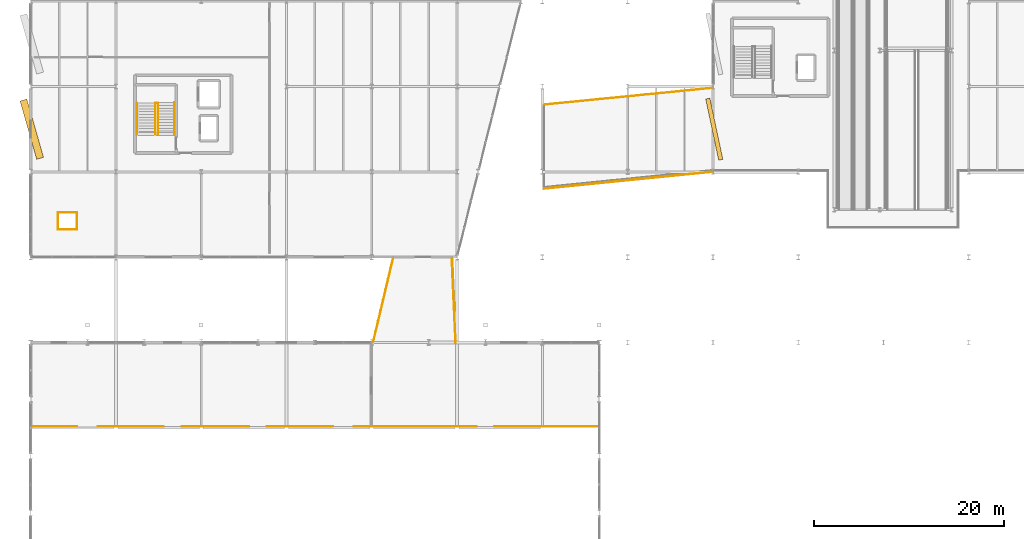
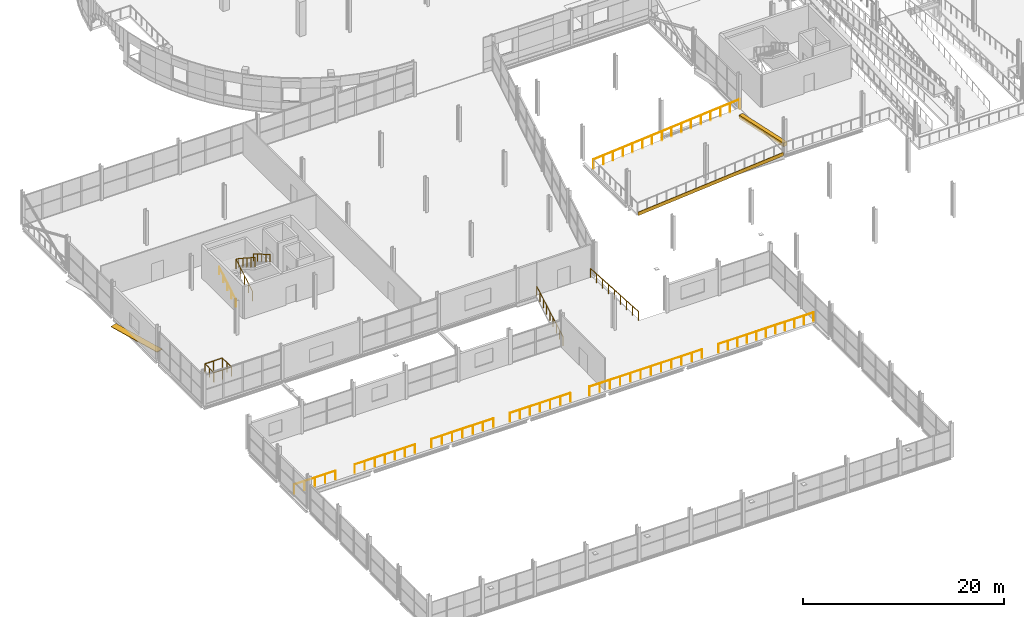
# One storey, part 120 of 135: 14 railings, 2 shading devices, 1 covering.
"""IFC4 building model written with IfcOpenShell, lengths in metres."""

import ifcopenshell
import ifcopenshell.guid

model = None  # the IFC model being written
_history = None  # IfcOwnerHistory: only IFC2X3 demands one
_inside = {}  # id of a spatial element -> (the spatial element, [elements in it])
_under = {}  # id of a project, library or spatial element -> (it, [spatial elements below it])
_declared = {}  # id of a project -> (the project, [libraries it declares])
_typed = {}  # id of a type object -> (the type object, [elements of that type])
_made_of = {}  # id of a material, layer set ... -> (it, [elements and type objects made of it])


def new_model(schema):
    """Start an empty IFC model of exactly this schema.

    Asked for "IFC4X3", IfcOpenShell would pick the latest addendum, in which some entities
    have other attributes; the version numbers below select the first issue.
    IFC2X3 requires an IfcOwnerHistory on every rooted entity: one is made here for all.
    """
    global model, _history
    if schema == "IFC4X3":
        model = ifcopenshell.file(schema_version=(4, 3, 0, 0))
    else:
        model = ifcopenshell.file(schema=schema)
    _inside.clear()
    _under.clear()
    _declared.clear()
    _typed.clear()
    _made_of.clear()
    _history = None
    if model.schema == "IFC2X3":
        org = make("IfcOrganization", Name="unknown")
        user = make(
            "IfcPersonAndOrganization",
            ThePerson=make("IfcPerson", FamilyName="unknown"),
            TheOrganization=org,
        )
        app = make(
            "IfcApplication",
            ApplicationDeveloper=org,
            Version="unknown",
            ApplicationFullName="unknown",
            ApplicationIdentifier="unknown",
        )
        _history = make(
            "IfcOwnerHistory",
            OwningUser=user,
            OwningApplication=app,
            ChangeAction="ADDED",
            CreationDate=0,
        )
    return model


def make(cls, **values):
    """One entity of the class cls with the attributes given. An attribute that is None is left unset."""
    return model.create_entity(
        cls, **{name: value for name, value in values.items() if value is not None}
    )


def rooted(cls, **values):
    """An entity with a GlobalId (a new one), such as an element, a storey or a relation."""
    return make(cls, GlobalId=ifcopenshell.guid.new(), OwnerHistory=_history, **values)


def si_unit(unit_type, name, prefix=None):
    """IfcSIUnit, for example si_unit("LENGTHUNIT", "METRE", prefix="MILLI")."""
    return make("IfcSIUnit", UnitType=unit_type, Prefix=prefix, Name=name)


def assignment(units):
    """IfcUnitAssignment: the units of a project."""
    return None if units is None else make("IfcUnitAssignment", Units=units)


def point(xyz):
    """IfcCartesianPoint."""
    return None if xyz is None else make("IfcCartesianPoint", Coordinates=xyz)


def direction(xyz):
    """IfcDirection."""
    return None if xyz is None else make("IfcDirection", DirectionRatios=xyz)


def frame(location, z_axis=None, x_axis=None):
    """IfcAxis2Placement3D, a coordinate frame: its origin and axes. An axis left out is left unset."""
    return make(
        "IfcAxis2Placement3D",
        Location=point(location),
        Axis=direction(z_axis),
        RefDirection=direction(x_axis),
    )


def frame_2d(location, x_axis=None):
    """IfcAxis2Placement2D, a coordinate frame in the plane: its origin and x axis."""
    return make(
        "IfcAxis2Placement2D", Location=point(location), RefDirection=direction(x_axis)
    )


def origin():
    """The frame at (0, 0, 0) with its axes left unset."""
    return frame((0.0, 0.0, 0.0))


def origin_2d():
    """The frame at (0, 0) in the plane with its x axis left unset."""
    return frame_2d((0.0, 0.0))


def place(relative_to, where):
    """IfcLocalPlacement: puts the frame where relative to a parent placement (None: the world)."""
    return make(
        "IfcLocalPlacement", PlacementRelTo=relative_to, RelativePlacement=where
    )


def context(
    kind, dimensions, precision=None, world=None, true_north=None, identifier=None
):
    """IfcGeometricRepresentationContext, for example the 3D "Model" context."""
    return make(
        "IfcGeometricRepresentationContext",
        ContextIdentifier=identifier,
        ContextType=kind,
        CoordinateSpaceDimension=dimensions,
        Precision=precision,
        WorldCoordinateSystem=world,
        TrueNorth=true_north,
    )


def subcontext(parent, identifier, kind, view, scale=None):
    """IfcGeometricRepresentationSubContext, for example "Body" below "Model"."""
    return make(
        "IfcGeometricRepresentationSubContext",
        ContextIdentifier=identifier,
        ContextType=kind,
        ParentContext=parent,
        TargetScale=scale,
        TargetView=view,
    )


def project(units=None, contexts=None):
    """IfcProject with its units and contexts."""
    return rooted(
        "IfcProject",
        Name="project",
        RepresentationContexts=contexts,
        UnitsInContext=assignment(units),
    )


def spatial(cls, under=None, at=None, **own):
    """A site, building, storey or space (cls), placed at a placement, below another one or the project."""
    s = rooted(cls, ObjectPlacement=at, **own)
    if under is not None:
        _under.setdefault(under.id(), (under, []))[1].append(s)
    return s


def profile(cls, at=None, kind="AREA", **sizes):
    """A parametric profile (cls). Its sizes go by their IFC names, for example OverallWidth=200.0."""
    return make(cls, ProfileType=kind, Position=at, **sizes)


def rectangle(**sizes):
    """IfcRectangleProfileDef."""
    return profile("IfcRectangleProfileDef", **sizes)


def circle(**sizes):
    """IfcCircleProfileDef."""
    return profile("IfcCircleProfileDef", **sizes)


def extrude(swept, where, along, depth):
    """IfcExtrudedAreaSolid: the profile swept, set in the frame where, extruded along a direction by depth."""
    return make(
        "IfcExtrudedAreaSolid",
        SweptArea=swept,
        Position=where,
        ExtrudedDirection=direction(along),
        Depth=depth,
    )


def shape(context_of_items, identifier, shape_type, items):
    """IfcShapeRepresentation: the items that make up one representation, for example the "Body"."""
    return make(
        "IfcShapeRepresentation",
        ContextOfItems=context_of_items,
        RepresentationIdentifier=identifier,
        RepresentationType=shape_type,
        Items=items,
    )


def material(Name=None, Category=None):
    """IfcMaterial."""
    return make("IfcMaterial", Name=Name, Category=Category)


def layer(
    of_material, thickness, ventilated=None, Name=None, Category=None, Priority=None
):
    """IfcMaterialLayer: one layer of a wall or slab, of a material (None: an air gap)."""
    return make(
        "IfcMaterialLayer",
        Material=of_material,
        LayerThickness=thickness,
        IsVentilated=ventilated,
        Name=Name,
        Category=Category,
        Priority=Priority,
    )


def layer_set(layers, Name=None):
    """IfcMaterialLayerSet."""
    return make("IfcMaterialLayerSet", MaterialLayers=layers, LayerSetName=Name)


def made_of(thing, what):
    """Note that an element or type object is made of a material, layer set ...; save() writes the relation."""
    if what is not None:
        _made_of.setdefault(what.id(), (what, []))[1].append(thing)
    return thing


def type_object(cls, material=None, **own):
    """A type object (cls), such as IfcWallType, which elements share."""
    return made_of(rooted(cls, **own), material)


def element(
    cls,
    number,
    at=None,
    inside=None,
    cuts=None,
    type_object=None,
    material=None,
    context=None,
    identifier="Body",
    shape_type=None,
    held_by="IfcProductDefinitionShape",
    body=None,
    shapes=None,
    **own,
):
    """One element of the class cls, such as IfcWall. Its Tag is "e" and its number.

    at: its placement. inside: the storey or other place that contains it. cuts: it is an
    opening in that element (IfcRelVoidsElement). A single representation is given by context,
    identifier, shape_type and body (its items); several are given by shapes. held_by: the class
    of the entity that holds the representations. save() writes the other relations.
    """
    e = rooted(cls, Tag="e%d" % number, ObjectPlacement=at, **own)
    if body is not None:
        shapes = [shape(context, identifier, shape_type, body)]
    if shapes is not None:
        e.Representation = make(held_by, Representations=shapes)
    if inside is not None:
        _inside.setdefault(inside.id(), (inside, []))[1].append(e)
    if cuts is not None:
        rooted(
            "IfcRelVoidsElement", RelatingBuildingElement=cuts, RelatedOpeningElement=e
        )
    if type_object is not None:
        _typed.setdefault(type_object.id(), (type_object, []))[1].append(e)
    return made_of(e, material)


def aggregate(whole, parts):
    """IfcRelAggregates: a whole, such as a stair, and the parts it consists of."""
    return rooted("IfcRelAggregates", RelatingObject=whole, RelatedObjects=parts)


def save(model, path):
    """Write the relations noted so far, then the file.

    IfcRelAggregates (storeys below a building ...), IfcRelContainedInSpatialStructure (elements
    in a storey), IfcRelDefinesByType, IfcRelAssociatesMaterial and IfcRelDeclares: one each for
    every whole, place, type object, material and project.
    """
    for whole, parts in _under.values():
        aggregate(whole, parts)
    for where, things in _inside.values():
        rooted(
            "IfcRelContainedInSpatialStructure",
            RelatedElements=things,
            RelatingStructure=where,
        )
    for kind, things in _typed.values():
        rooted("IfcRelDefinesByType", RelatedObjects=things, RelatingType=kind)
    for what, things in _made_of.values():
        rooted("IfcRelAssociatesMaterial", RelatedObjects=things, RelatingMaterial=what)
    for by, libraries in _declared.values():
        rooted("IfcRelDeclares", RelatingContext=by, RelatedDefinitions=libraries)
    model.write(path)


model = new_model("IFC4")

# Units and contexts
model_context = context("Model", 3, precision=1e-05, world=origin(), true_north=direction((0.0, 1.0)))
body_context = subcontext(model_context, "Body", "Model", "MODEL_VIEW")
ifc_project = project(units=[si_unit("LENGTHUNIT", "METRE"), si_unit("AREAUNIT", "SQUARE_METRE"), si_unit("VOLUMEUNIT", "CUBIC_METRE"), si_unit("PLANEANGLEUNIT", "RADIAN"), si_unit("MASSUNIT", "GRAM", prefix="KILO")], contexts=[model_context])

# Site, building, storey
site_placement = place(None, origin())
site = spatial("IfcSite", under=ifc_project, at=site_placement, CompositionType="ELEMENT")
building_placement = place(site_placement, origin())
building = spatial("IfcBuilding", under=site, at=building_placement, Name="Deido Ridge Mobility Hub", CompositionType="ELEMENT")
storey_placement = place(building_placement, frame((0.0, 0.0, 4.199951171875)))
storey = spatial("IfcBuildingStorey", under=building, at=storey_placement, Name="L01", CompositionType="ELEMENT", Elevation=4.199951171875)

# Covering
ifc_material_1 = material(Name="Powder-coated aluminium cladding EN AW-3003", Category="aluminium")
ifc_layer_1 = layer(ifc_material_1, 0.06494140625, Name="Powder-coated aluminium cladding EN AW-3003")
ifc_layer_set_1 = layer_set([ifc_layer_1], Name="Powder-coated aluminium cladding EN AW-3003")
covering_type = type_object("IfcCoveringType", Name="COV-ALU-CLAD-65", PredefinedType="CLADDING", material=ifc_layer_set_1)
covering_placement = place(storey_placement, frame((63.0, 53.10009765625, -0.329833984375), z_axis=(0.0, 0.0, 1.0), x_axis=(0.995038220239, 0.099493418189, 0.0)))
element("IfcCovering", 1, at=covering_placement, inside=storey, type_object=covering_type, Name="Skewed skybridge west fascia shard AC1", PredefinedType="CLADDING", context=body_context, shape_type="SweptSolid", body=[
    extrude(rectangle(XDim=17.800048828125, YDim=0.06494140625, at=origin_2d()), origin(), (0.0, 0.0, 1.0), 0.419921875),
])

# Railings
ifc_material_2 = material(Name="Stainless steel 316", Category="steel")
railing_type_1 = type_object("IfcRailingType", Name="RL-BAL-GLZ-1120", PredefinedType="BALUSTRADE", material=ifc_material_2)
railing_1_placement = place(storey_placement, frame((0.14990234375, 27.14990234375, 0.0)))
element("IfcRailing", 2, at=railing_1_placement, inside=storey, type_object=railing_type_1, Name="Bus hall mezzanine balustrade BL1", PredefinedType="BALUSTRADE", context=body_context, shape_type="SweptSolid", body=[
    extrude(circle(Radius=0.02392578125, at=origin_2d()), frame((0.0, 0.0, 1.09619140625), z_axis=(1.0, 0.0, 0.0), x_axis=(0.0, 1.0, 0.0)), (0.0, 0.0, 1.0), 4.75),
    extrude(circle(Radius=0.02099609375, at=origin_2d()), origin(), (0.0, 0.0, 1.0), 1.072021484375),
    extrude(circle(Radius=0.02099609375, at=origin_2d()), frame((1.1875, 0.0, 0.0)), (0.0, 0.0, 1.0), 1.072021484375),
    extrude(circle(Radius=0.02099609375, at=origin_2d()), frame((2.375, 0.0, 0.0)), (0.0, 0.0, 1.0), 1.072021484375),
    extrude(circle(Radius=0.02099609375, at=origin_2d()), frame((3.5625, 0.0, 0.0)), (0.0, 0.0, 1.0), 1.072021484375),
    extrude(circle(Radius=0.02099609375, at=origin_2d()), frame((4.75, 0.0, 0.0)), (0.0, 0.0, 1.0), 1.072021484375),
])
railing_2_placement = place(storey_placement, frame((7.10009765625, 27.14990234375, 0.0)))
element("IfcRailing", 3, at=railing_2_placement, inside=storey, type_object=railing_type_1, Name="Bus hall mezzanine balustrade BL1", PredefinedType="BALUSTRADE", context=body_context, shape_type="SweptSolid", body=[
    extrude(circle(Radius=0.02392578125, at=origin_2d()), frame((0.0, 0.0, 1.09619140625), z_axis=(1.0, 0.0, 0.0), x_axis=(0.0, 1.0, 0.0)), (0.0, 0.0, 1.0), 6.949951171875),
    extrude(circle(Radius=0.02099609375, at=origin_2d()), origin(), (0.0, 0.0, 1.0), 1.072021484375),
    extrude(circle(Radius=0.02099609375, at=origin_2d()), frame((1.158203125, 0.0, 0.0)), (0.0, 0.0, 1.0), 1.072021484375),
    extrude(circle(Radius=0.02099609375, at=origin_2d()), frame((2.316650390625, 0.0, 0.0)), (0.0, 0.0, 1.0), 1.072021484375),
    extrude(circle(Radius=0.02099609375, at=origin_2d()), frame((3.47509765625, 0.0, 0.0)), (0.0, 0.0, 1.0), 1.072021484375),
    extrude(circle(Radius=0.02099609375, at=origin_2d()), frame((4.63330078125, 0.0, 0.0)), (0.0, 0.0, 1.0), 1.072021484375),
    extrude(circle(Radius=0.02099609375, at=origin_2d()), frame((5.79150390625, 0.0, 0.0)), (0.0, 0.0, 1.0), 1.072021484375),
    extrude(circle(Radius=0.02099609375, at=origin_2d()), frame((6.949951171875, 0.0, 0.0)), (0.0, 0.0, 1.0), 1.072021484375),
])
railing_3_placement = place(storey_placement, frame((15.949951171875, 27.14990234375, 0.0)))
element("IfcRailing", 4, at=railing_3_placement, inside=storey, type_object=railing_type_1, Name="Bus hall mezzanine balustrade BL1", PredefinedType="BALUSTRADE", context=body_context, shape_type="SweptSolid", body=[
    extrude(circle(Radius=0.02392578125, at=origin_2d()), frame((0.0, 0.0, 1.09619140625), z_axis=(1.0, 0.0, 0.0), x_axis=(0.0, 1.0, 0.0)), (0.0, 0.0, 1.0), 7.10009765625),
    extrude(circle(Radius=0.02099609375, at=origin_2d()), origin(), (0.0, 0.0, 1.0), 1.072021484375),
    extrude(circle(Radius=0.02099609375, at=origin_2d()), frame((1.183349609375, 0.0, 0.0)), (0.0, 0.0, 1.0), 1.072021484375),
    extrude(circle(Radius=0.02099609375, at=origin_2d()), frame((2.36669921875, 0.0, 0.0)), (0.0, 0.0, 1.0), 1.072021484375),
    extrude(circle(Radius=0.02099609375, at=origin_2d()), frame((3.550048828125, 0.0, 0.0)), (0.0, 0.0, 1.0), 1.072021484375),
    extrude(circle(Radius=0.02099609375, at=origin_2d()), frame((4.7333984375, 0.0, 0.0)), (0.0, 0.0, 1.0), 1.072021484375),
    extrude(circle(Radius=0.02099609375, at=origin_2d()), frame((5.916748046875, 0.0, 0.0)), (0.0, 0.0, 1.0), 1.072021484375),
    extrude(circle(Radius=0.02099609375, at=origin_2d()), frame((7.10009765625, 0.0, 0.0)), (0.0, 0.0, 1.0), 1.072021484375),
])
railing_4_placement = place(storey_placement, frame((24.949951171875, 27.14990234375, 0.0)))
element("IfcRailing", 5, at=railing_4_placement, inside=storey, type_object=railing_type_1, Name="Bus hall mezzanine balustrade BL1", PredefinedType="BALUSTRADE", context=body_context, shape_type="SweptSolid", body=[
    extrude(circle(Radius=0.02392578125, at=origin_2d()), frame((0.0, 0.0, 1.09619140625), z_axis=(1.0, 0.0, 0.0), x_axis=(0.0, 1.0, 0.0)), (0.0, 0.0, 1.0), 6.949951171875),
    extrude(circle(Radius=0.02099609375, at=origin_2d()), origin(), (0.0, 0.0, 1.0), 1.072021484375),
    extrude(circle(Radius=0.02099609375, at=origin_2d()), frame((1.158203125, 0.0, 0.0)), (0.0, 0.0, 1.0), 1.072021484375),
    extrude(circle(Radius=0.02099609375, at=origin_2d()), frame((2.316650390625, 0.0, 0.0)), (0.0, 0.0, 1.0), 1.072021484375),
    extrude(circle(Radius=0.02099609375, at=origin_2d()), frame((3.47509765625, 0.0, 0.0)), (0.0, 0.0, 1.0), 1.072021484375),
    extrude(circle(Radius=0.02099609375, at=origin_2d()), frame((4.63330078125, 0.0, 0.0)), (0.0, 0.0, 1.0), 1.072021484375),
    extrude(circle(Radius=0.02099609375, at=origin_2d()), frame((5.79150390625, 0.0, 0.0)), (0.0, 0.0, 1.0), 1.072021484375),
    extrude(circle(Radius=0.02099609375, at=origin_2d()), frame((6.949951171875, 0.0, 0.0)), (0.0, 0.0, 1.0), 1.072021484375),
])
railing_5_placement = place(storey_placement, frame((34.10009765625, 27.14990234375, 0.0)))
element("IfcRailing", 6, at=railing_5_placement, inside=storey, type_object=railing_type_1, Name="Bus hall mezzanine balustrade BL1", PredefinedType="BALUSTRADE", context=body_context, shape_type="SweptSolid", body=[
    extrude(circle(Radius=0.02392578125, at=origin_2d()), frame((0.0, 0.0, 1.09619140625), z_axis=(1.0, 0.0, 0.0), x_axis=(0.0, 1.0, 0.0)), (0.0, 0.0, 1.0), 12.949951171875),
    extrude(circle(Radius=0.02099609375, at=origin_2d()), origin(), (0.0, 0.0, 1.0), 1.072021484375),
    extrude(circle(Radius=0.02099609375, at=origin_2d()), frame((1.17724609375, 0.0, 0.0)), (0.0, 0.0, 1.0), 1.072021484375),
    extrude(circle(Radius=0.02099609375, at=origin_2d()), frame((2.3544921875, 0.0, 0.0)), (0.0, 0.0, 1.0), 1.072021484375),
    extrude(circle(Radius=0.02099609375, at=origin_2d()), frame((3.53173828125, 0.0, 0.0)), (0.0, 0.0, 1.0), 1.072021484375),
    extrude(circle(Radius=0.02099609375, at=origin_2d()), frame((4.708984375, 0.0, 0.0)), (0.0, 0.0, 1.0), 1.072021484375),
    extrude(circle(Radius=0.02099609375, at=origin_2d()), frame((5.88623046875, 0.0, 0.0)), (0.0, 0.0, 1.0), 1.072021484375),
    extrude(circle(Radius=0.02099609375, at=origin_2d()), frame((7.063720703125, 0.0, 0.0)), (0.0, 0.0, 1.0), 1.072021484375),
    extrude(circle(Radius=0.02099609375, at=origin_2d()), frame((8.240966796875, 0.0, 0.0)), (0.0, 0.0, 1.0), 1.072021484375),
    extrude(circle(Radius=0.02099609375, at=origin_2d()), frame((9.418212890625, 0.0, 0.0)), (0.0, 0.0, 1.0), 1.072021484375),
    extrude(circle(Radius=0.02099609375, at=origin_2d()), frame((10.595458984375, 0.0, 0.0)), (0.0, 0.0, 1.0), 1.072021484375),
    extrude(circle(Radius=0.02099609375, at=origin_2d()), frame((11.772705078125, 0.0, 0.0)), (0.0, 0.0, 1.0), 1.072021484375),
    extrude(circle(Radius=0.02099609375, at=origin_2d()), frame((12.949951171875, 0.0, 0.0)), (0.0, 0.0, 1.0), 1.072021484375),
])
railing_6_placement = place(storey_placement, frame((48.949951171875, 27.14990234375, 0.0)))
element("IfcRailing", 7, at=railing_6_placement, inside=storey, type_object=railing_type_1, Name="Bus hall mezzanine balustrade BL1", PredefinedType="BALUSTRADE", context=body_context, shape_type="SweptSolid", body=[
    extrude(circle(Radius=0.02392578125, at=origin_2d()), frame((0.0, 0.0, 1.09619140625), z_axis=(1.0, 0.0, 0.0), x_axis=(0.0, 1.0, 0.0)), (0.0, 0.0, 1.0), 10.900146484375),
    extrude(circle(Radius=0.02099609375, at=origin_2d()), origin(), (0.0, 0.0, 1.0), 1.072021484375),
    extrude(circle(Radius=0.02099609375, at=origin_2d()), frame((1.090087890625, 0.0, 0.0)), (0.0, 0.0, 1.0), 1.072021484375),
    extrude(circle(Radius=0.02099609375, at=origin_2d()), frame((2.179931640625, 0.0, 0.0)), (0.0, 0.0, 1.0), 1.072021484375),
    extrude(circle(Radius=0.02099609375, at=origin_2d()), frame((3.27001953125, 0.0, 0.0)), (0.0, 0.0, 1.0), 1.072021484375),
    extrude(circle(Radius=0.02099609375, at=origin_2d()), frame((4.360107421875, 0.0, 0.0)), (0.0, 0.0, 1.0), 1.072021484375),
    extrude(circle(Radius=0.02099609375, at=origin_2d()), frame((5.4501953125, 0.0, 0.0)), (0.0, 0.0, 1.0), 1.072021484375),
    extrude(circle(Radius=0.02099609375, at=origin_2d()), frame((6.5400390625, 0.0, 0.0)), (0.0, 0.0, 1.0), 1.072021484375),
    extrude(circle(Radius=0.02099609375, at=origin_2d()), frame((7.630126953125, 0.0, 0.0)), (0.0, 0.0, 1.0), 1.072021484375),
    extrude(circle(Radius=0.02099609375, at=origin_2d()), frame((8.72021484375, 0.0, 0.0)), (0.0, 0.0, 1.0), 1.072021484375),
    extrude(circle(Radius=0.02099609375, at=origin_2d()), frame((9.81005859375, 0.0, 0.0)), (0.0, 0.0, 1.0), 1.072021484375),
    extrude(circle(Radius=0.02099609375, at=origin_2d()), frame((10.900146484375, 0.0, 0.0)), (0.0, 0.0, 1.0), 1.072021484375),
])
railing_7_placement = place(storey_placement, frame((36.14990234375, 36.0, 0.0)))
element("IfcRailing", 8, at=railing_7_placement, inside=storey, type_object=railing_type_1, Name="Commuter cafe bridge west balustrade BL1", PredefinedType="BALUSTRADE", context=body_context, shape_type="SweptSolid", body=[
    extrude(circle(Radius=0.02392578125, at=origin_2d()), frame((0.0, 0.0, 1.09619140625), z_axis=(0.230885044701, 0.972981035855, 0.0), x_axis=(-0.972981035855, 0.230885044701, 0.0)), (0.0, 0.0, 1.0), 9.095947265625),
    extrude(circle(Radius=0.02099609375, at=origin_2d()), origin(), (0.0, 0.0, 1.0), 1.072021484375),
    extrude(circle(Radius=0.02099609375, at=origin_2d()), frame((0.262451171875, 1.106201171875, 0.0)), (0.0, 0.0, 1.0), 1.072021484375),
    extrude(circle(Radius=0.02099609375, at=origin_2d()), frame((0.52490234375, 2.21240234375, 0.0)), (0.0, 0.0, 1.0), 1.072021484375),
    extrude(circle(Radius=0.02099609375, at=origin_2d()), frame((0.78759765625, 3.31884765625, 0.0)), (0.0, 0.0, 1.0), 1.072021484375),
    extrude(circle(Radius=0.02099609375, at=origin_2d()), frame((1.050048828125, 4.425048828125, 0.0)), (0.0, 0.0, 1.0), 1.072021484375),
    extrude(circle(Radius=0.02099609375, at=origin_2d()), frame((1.3125, 5.53125, 0.0)), (0.0, 0.0, 1.0), 1.072021484375),
    extrude(circle(Radius=0.02099609375, at=origin_2d()), frame((1.5751953125, 6.6376953125, 0.0)), (0.0, 0.0, 1.0), 1.072021484375),
    extrude(circle(Radius=0.02099609375, at=origin_2d()), frame((1.837646484375, 7.743896484375, 0.0)), (0.0, 0.0, 1.0), 1.072021484375),
    extrude(circle(Radius=0.02099609375, at=origin_2d()), frame((2.10009765625, 8.85009765625, 0.0)), (0.0, 0.0, 1.0), 1.072021484375),
])
railing_8_placement = place(storey_placement, frame((44.449951171875, 44.85009765625, 0.0)))
element("IfcRailing", 9, at=railing_8_placement, inside=storey, type_object=railing_type_1, Name="Commuter cafe bridge east balustrade BL1", PredefinedType="BALUSTRADE", context=body_context, shape_type="SweptSolid", body=[
    extrude(circle(Radius=0.02392578125, at=origin_2d()), frame((0.0, 0.0, 1.09619140625), z_axis=(0.045167648854, -0.998979420958, 0.0), x_axis=(0.998979420958, 0.045167648854, 0.0)), (0.0, 0.0, 1.0), 8.859130859375),
    extrude(circle(Radius=0.02099609375, at=origin_2d()), origin(), (0.0, 0.0, 1.0), 1.072021484375),
    extrude(circle(Radius=0.02099609375, at=origin_2d()), frame((0.050048828125, -1.106201171875, 0.0)), (0.0, 0.0, 1.0), 1.072021484375),
    extrude(circle(Radius=0.02099609375, at=origin_2d()), frame((0.10009765625, -2.21240234375, 0.0)), (0.0, 0.0, 1.0), 1.072021484375),
    extrude(circle(Radius=0.02099609375, at=origin_2d()), frame((0.150146484375, -3.31884765625, 0.0)), (0.0, 0.0, 1.0), 1.072021484375),
    extrude(circle(Radius=0.02099609375, at=origin_2d()), frame((0.2001953125, -4.425048828125, 0.0)), (0.0, 0.0, 1.0), 1.072021484375),
    extrude(circle(Radius=0.02099609375, at=origin_2d()), frame((0.25, -5.53125, 0.0)), (0.0, 0.0, 1.0), 1.072021484375),
    extrude(circle(Radius=0.02099609375, at=origin_2d()), frame((0.300048828125, -6.6376953125, 0.0)), (0.0, 0.0, 1.0), 1.072021484375),
    extrude(circle(Radius=0.02099609375, at=origin_2d()), frame((0.35009765625, -7.743896484375, 0.0)), (0.0, 0.0, 1.0), 1.072021484375),
    extrude(circle(Radius=0.02099609375, at=origin_2d()), frame((0.400146484375, -8.85009765625, 0.0)), (0.0, 0.0, 1.0), 1.072021484375),
])
ifc_material_3 = material(Name="Galvanised steel work", Category="steel")
railing_type_2 = type_object("IfcRailingType", Name="RL-GRD-EXT-1150", PredefinedType="GUARDRAIL", material=ifc_material_3)
railing_9_placement = place(storey_placement, frame((54.14990234375, 61.080078125, 0.0)))
element("IfcRailing", 10, at=railing_9_placement, inside=storey, type_object=railing_type_2, Name="Skybridge skewed west-north edge guard GR1", PredefinedType="GUARDRAIL", context=body_context, shape_type="SweptSolid", body=[
    extrude(circle(Radius=0.02392578125, at=origin_2d()), frame((0.0, 0.0, 1.1259765625), z_axis=(0.995119587381, 0.098676272786, 0.0), x_axis=(-0.098676272786, 0.995119587381, 0.0)), (0.0, 0.0, 1.0), 17.937744140625),
    extrude(circle(Radius=0.02099609375, at=origin_2d()), origin(), (0.0, 0.0, 1.0), 1.101806640625),
    extrude(circle(Radius=0.02099609375, at=origin_2d()), frame((1.18994140625, 0.117919921875, 0.0)), (0.0, 0.0, 1.0), 1.101806640625),
    extrude(circle(Radius=0.02099609375, at=origin_2d()), frame((2.380126953125, 0.236083984375, 0.0)), (0.0, 0.0, 1.0), 1.101806640625),
    extrude(circle(Radius=0.02099609375, at=origin_2d()), frame((3.570068359375, 0.35400390625, 0.0)), (0.0, 0.0, 1.0), 1.101806640625),
    extrude(circle(Radius=0.02099609375, at=origin_2d()), frame((4.760009765625, 0.471923828125, 0.0)), (0.0, 0.0, 1.0), 1.101806640625),
    extrude(circle(Radius=0.02099609375, at=origin_2d()), frame((5.949951171875, 0.590087890625, 0.0)), (0.0, 0.0, 1.0), 1.101806640625),
    extrude(circle(Radius=0.02099609375, at=origin_2d()), frame((7.14013671875, 0.7080078125, 0.0)), (0.0, 0.0, 1.0), 1.101806640625),
    extrude(circle(Radius=0.02099609375, at=origin_2d()), frame((8.330078125, 0.825927734375, 0.0)), (0.0, 0.0, 1.0), 1.101806640625),
    extrude(circle(Radius=0.02099609375, at=origin_2d()), frame((9.52001953125, 0.944091796875, 0.0)), (0.0, 0.0, 1.0), 1.101806640625),
    extrude(circle(Radius=0.02099609375, at=origin_2d()), frame((10.7099609375, 1.06201171875, 0.0)), (0.0, 0.0, 1.0), 1.101806640625),
    extrude(circle(Radius=0.02099609375, at=origin_2d()), frame((11.900146484375, 1.179931640625, 0.0)), (0.0, 0.0, 1.0), 1.101806640625),
    extrude(circle(Radius=0.02099609375, at=origin_2d()), frame((13.090087890625, 1.298095703125, 0.0)), (0.0, 0.0, 1.0), 1.101806640625),
    extrude(circle(Radius=0.02099609375, at=origin_2d()), frame((14.280029296875, 1.416015625, 0.0)), (0.0, 0.0, 1.0), 1.101806640625),
    extrude(circle(Radius=0.02099609375, at=origin_2d()), frame((15.469970703125, 1.533935546875, 0.0)), (0.0, 0.0, 1.0), 1.101806640625),
    extrude(circle(Radius=0.02099609375, at=origin_2d()), frame((16.66015625, 1.652099609375, 0.0)), (0.0, 0.0, 1.0), 1.101806640625),
    extrude(circle(Radius=0.02099609375, at=origin_2d()), frame((17.85009765625, 1.77001953125, 0.0)), (0.0, 0.0, 1.0), 1.101806640625),
])
railing_10_placement = place(storey_placement, frame((2.89990234375, 47.89990234375, 0.0)))
element("IfcRailing", 11, at=railing_10_placement, inside=storey, type_object=railing_type_2, Name="Service riser shaft guard (L01) A", PredefinedType="GUARDRAIL", context=body_context, shape_type="SweptSolid", body=[
    extrude(circle(Radius=0.02392578125, at=origin_2d()), frame((0.0, 0.0, 1.1259765625), z_axis=(1.0, 0.0, 0.0), x_axis=(0.0, 1.0, 0.0)), (0.0, 0.0, 1.0), 2.0),
    extrude(circle(Radius=0.02392578125, at=origin_2d()), frame((2.0, 0.0, 1.1259765625), z_axis=(0.0, 1.0, 0.0), x_axis=(-1.0, 0.0, 0.0)), (0.0, 0.0, 1.0), 1.739990234375),
    extrude(circle(Radius=0.02099609375, at=origin_2d()), origin(), (0.0, 0.0, 1.0), 1.101806640625),
    extrude(circle(Radius=0.02099609375, at=origin_2d()), frame((1.0, 0.0, 0.0)), (0.0, 0.0, 1.0), 1.101806640625),
    extrude(circle(Radius=0.02099609375, at=origin_2d()), frame((2.0, 0.0, 0.0)), (0.0, 0.0, 1.0), 1.101806640625),
    extrude(circle(Radius=0.02099609375, at=origin_2d()), frame((2.0, 0.8701171875, 0.0)), (0.0, 0.0, 1.0), 1.101806640625),
    extrude(circle(Radius=0.02099609375, at=origin_2d()), frame((2.0, 1.739990234375, 0.0)), (0.0, 0.0, 1.0), 1.101806640625),
])
railing_11_placement = place(storey_placement, frame((4.89990234375, 49.699951171875, 0.0)))
element("IfcRailing", 12, at=railing_11_placement, inside=storey, type_object=railing_type_2, Name="Service riser shaft guard (L01) B", PredefinedType="GUARDRAIL", context=body_context, shape_type="SweptSolid", body=[
    extrude(circle(Radius=0.02392578125, at=origin_2d()), frame((0.0, 0.0, 1.1259765625), z_axis=(-1.0, 0.0, 0.0), x_axis=(0.0, -1.0, 0.0)), (0.0, 0.0, 1.0), 2.0),
    extrude(circle(Radius=0.02392578125, at=origin_2d()), frame((-2.0, 0.0, 1.1259765625), z_axis=(0.0, -1.0, 0.0), x_axis=(1.0, 0.0, 0.0)), (0.0, 0.0, 1.0), 1.739990234375),
    extrude(circle(Radius=0.02099609375, at=origin_2d()), origin(), (0.0, 0.0, 1.0), 1.101806640625),
    extrude(circle(Radius=0.02099609375, at=origin_2d()), frame((-1.0, 0.0, 0.0)), (0.0, 0.0, 1.0), 1.101806640625),
    extrude(circle(Radius=0.02099609375, at=origin_2d()), frame((-2.0, 0.0, 0.0)), (0.0, 0.0, 1.0), 1.101806640625),
    extrude(circle(Radius=0.02099609375, at=origin_2d()), frame((-2.0, -0.8701171875, 0.0)), (0.0, 0.0, 1.0), 1.101806640625),
    extrude(circle(Radius=0.02099609375, at=origin_2d()), frame((-2.0, -1.739990234375, 0.0)), (0.0, 0.0, 1.0), 1.101806640625),
])
railing_type_3 = type_object("IfcRailingType", Name="RL-STAIR-GRD-1150", PredefinedType="GUARDRAIL", material=ifc_material_3)
railing_12_placement = place(storey_placement, frame((13.14990234375, 57.949951171875, 0.175048828125)))
element("IfcRailing", 13, at=railing_12_placement, inside=storey, type_object=railing_type_3, Name="ST6 inner well guard (L01)", PredefinedType="GUARDRAIL", context=body_context, shape_type="SweptSolid", body=[
    extrude(circle(Radius=0.02392578125, at=origin_2d()), frame((0.0, 0.0, 1.1259765625), z_axis=(0.0, 0.863776583165, 0.503874998761), x_axis=(-1.0, 0.0, 0.0)), (0.0, 0.0, 1.0), 3.820556640625),
    extrude(circle(Radius=0.02392578125, at=origin_2d()), frame((0.0, 3.300048828125, 3.05078125), z_axis=(1.0, 0.0, 0.0), x_axis=(0.0, 1.0, 0.0)), (0.0, 0.0, 1.0), 0.300048828125),
    extrude(circle(Radius=0.02392578125, at=origin_2d()), frame((0.300048828125, 3.300048828125, 3.05078125), z_axis=(0.0, -0.839933924917, 0.542688678501), x_axis=(1.0, 0.0, 0.0)), (0.0, 0.0, 1.0), 3.869384765625),
    extrude(circle(Radius=0.02099609375, at=origin_2d()), origin(), (0.0, 0.0, 1.0), 1.101806640625),
    extrude(circle(Radius=0.02099609375, at=origin_2d()), frame((0.0, 0.824951171875, 0.481201171875)), (0.0, 0.0, 1.0), 1.101806640625),
    extrude(circle(Radius=0.02099609375, at=origin_2d()), frame((0.0, 1.64990234375, 0.96240234375)), (0.0, 0.0, 1.0), 1.101806640625),
    extrude(circle(Radius=0.02099609375, at=origin_2d()), frame((0.0, 2.47509765625, 1.44384765625)), (0.0, 0.0, 1.0), 1.101806640625),
    extrude(circle(Radius=0.02099609375, at=origin_2d()), frame((0.0, 3.300048828125, 1.925048828125)), (0.0, 0.0, 1.0), 1.101806640625),
    extrude(circle(Radius=0.02099609375, at=origin_2d()), frame((0.300048828125, 3.300048828125, 1.925048828125)), (0.0, 0.0, 1.0), 1.101806640625),
    extrude(circle(Radius=0.02099609375, at=origin_2d()), frame((0.300048828125, 2.487548828125, 2.449951171875)), (0.0, 0.0, 1.0), 1.101806640625),
    extrude(circle(Radius=0.02099609375, at=origin_2d()), frame((0.300048828125, 1.675048828125, 2.97509765625)), (0.0, 0.0, 1.0), 1.101806640625),
    extrude(circle(Radius=0.02099609375, at=origin_2d()), frame((0.300048828125, 0.862548828125, 3.5)), (0.0, 0.0, 1.0), 1.101806640625),
    extrude(circle(Radius=0.02099609375, at=origin_2d()), frame((0.300048828125, 0.050048828125, 4.02490234375)), (0.0, 0.0, 1.0), 1.101806640625),
])
railing_type_4 = type_object("IfcRailingType", Name="RL-STAIR-HND-900", PredefinedType="HANDRAIL", material=ifc_material_2)
railing_13_placement = place(storey_placement, frame((11.2099609375, 57.949951171875, 0.175048828125)))
element("IfcRailing", 14, at=railing_13_placement, inside=storey, type_object=railing_type_4, Name="ST6 flight 1 handrail (L01)", PredefinedType="HANDRAIL", context=body_context, shape_type="SweptSolid", body=[
    extrude(circle(Radius=0.02392578125, at=origin_2d()), frame((0.0, 0.0, 0.8759765625), z_axis=(0.0, 0.863776583165, 0.503874998761), x_axis=(-1.0, 0.0, 0.0)), (0.0, 0.0, 1.0), 3.820556640625),
    extrude(circle(Radius=0.02099609375, at=origin_2d()), origin(), (0.0, 0.0, 1.0), 0.851806640625),
    extrude(circle(Radius=0.02099609375, at=origin_2d()), frame((0.0, 0.824951171875, 0.481201171875)), (0.0, 0.0, 1.0), 0.851806640625),
    extrude(circle(Radius=0.02099609375, at=origin_2d()), frame((0.0, 1.64990234375, 0.96240234375)), (0.0, 0.0, 1.0), 0.851806640625),
    extrude(circle(Radius=0.02099609375, at=origin_2d()), frame((0.0, 2.47509765625, 1.44384765625)), (0.0, 0.0, 1.0), 0.851806640625),
    extrude(circle(Radius=0.02099609375, at=origin_2d()), frame((0.0, 3.300048828125, 1.925048828125)), (0.0, 0.0, 1.0), 0.851806640625),
])
railing_14_placement = place(storey_placement, frame((15.175048828125, 61.300048828125, 2.275146484375)))
element("IfcRailing", 15, at=railing_14_placement, inside=storey, type_object=railing_type_4, Name="ST6 flight 2 handrail (L01)", PredefinedType="HANDRAIL", context=body_context, shape_type="SweptSolid", body=[
    extrude(circle(Radius=0.02392578125, at=origin_2d()), frame((0.0, 0.0, 0.8759765625), z_axis=(0.0, -0.863804395585, 0.503827317807), x_axis=(1.0, 0.0, 0.0)), (0.0, 0.0, 1.0), 3.8203125),
    extrude(circle(Radius=0.02099609375, at=origin_2d()), origin(), (0.0, 0.0, 1.0), 0.851806640625),
    extrude(circle(Radius=0.02099609375, at=origin_2d()), frame((0.0, -0.824951171875, 0.481201171875)), (0.0, 0.0, 1.0), 0.851806640625),
    extrude(circle(Radius=0.02099609375, at=origin_2d()), frame((0.0, -1.64990234375, 0.96240234375)), (0.0, 0.0, 1.0), 0.851806640625),
    extrude(circle(Radius=0.02099609375, at=origin_2d()), frame((0.0, -2.47509765625, 1.443603515625)), (0.0, 0.0, 1.0), 0.851806640625),
    extrude(circle(Radius=0.02099609375, at=origin_2d()), frame((0.0, -3.300048828125, 1.9248046875)), (0.0, 0.0, 1.0), 0.851806640625),
])

# Shading devices
ifc_material_4 = material(Name="Anodised aluminium EN AW-6063 T6", Category="aluminium")
ifc_layer_2 = layer(ifc_material_4, 0.4599609375, Name="Anodised aluminium EN AW-6063 T6")
ifc_layer_set_2 = layer_set([ifc_layer_2], Name="Anodised aluminium EN AW-6063 T6")
shading_device_type_1 = type_object("IfcShadingDeviceType", Name="SHD-LOUVRE-450", PredefinedType="USERDEFINED", material=ifc_layer_set_2)
shading_device_1_placement = place(storey_placement, frame((72.139892578125, 58.5, -0.280029296875), z_axis=(0.0, 0.0, 1.0), x_axis=(-0.207911690818, 0.978147600734, 0.0)))
element("IfcShadingDevice", 16, at=shading_device_1_placement, inside=storey, type_object=shading_device_type_1, Name="Ramp gallery monsoon louvre SD3", ObjectType="LOUVRE", PredefinedType="USERDEFINED", context=body_context, shape_type="SweptSolid", body=[
    extrude(rectangle(XDim=6.60009765625, YDim=0.449951171875, at=origin_2d()), origin(), (0.0, 0.0, 1.0), 0.4599609375),
])
ifc_layer_3 = layer(ifc_material_1, 0.06005859375, Name="Powder-coated aluminium cladding EN AW-3003")
ifc_layer_set_3 = layer_set([ifc_layer_3], Name="Powder-coated aluminium cladding EN AW-3003")
shading_device_type_2 = type_object("IfcShadingDeviceType", Name="SHD-SUNSHADE-750", PredefinedType="USERDEFINED", material=ifc_layer_set_3)
shading_device_2_placement = place(storey_placement, frame((0.1201171875, 58.5, -0.1298828125), z_axis=(0.0, 0.0, 1.0), x_axis=(-0.275637355817, 0.961261695938, 0.0)))
element("IfcShadingDevice", 17, at=shading_device_2_placement, inside=storey, type_object=shading_device_type_2, Name="Bicycle hall angled brise-soleil SD2", ObjectType="SUNSHADE", PredefinedType="USERDEFINED", context=body_context, shape_type="SweptSolid", body=[
    extrude(rectangle(XDim=6.39990234375, YDim=0.75, at=origin_2d()), origin(), (0.0, 0.0, 1.0), 0.06005859375),
])

save(model, "model.ifc")
